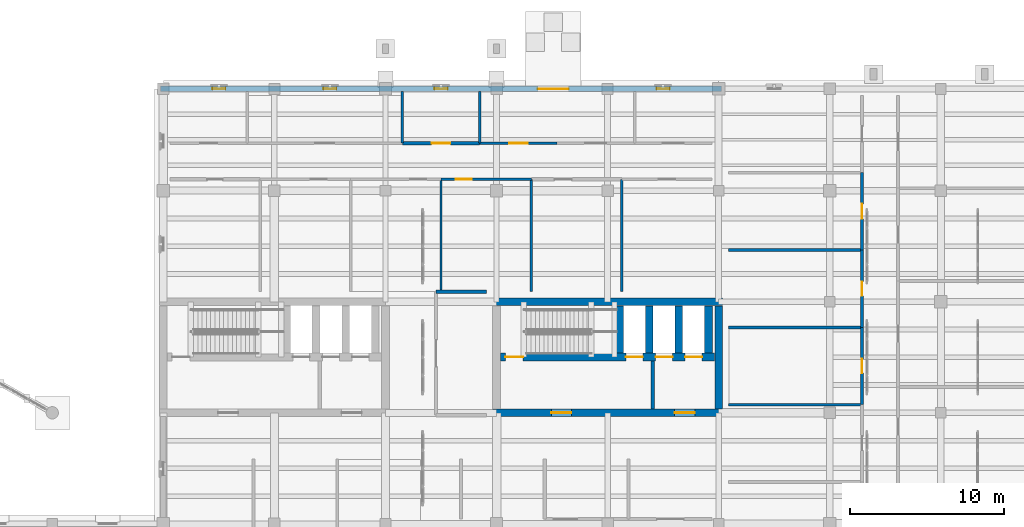
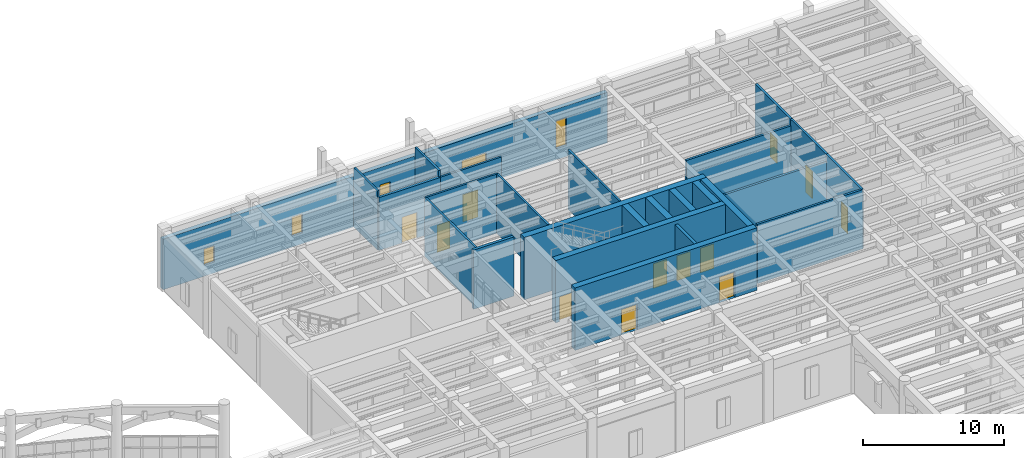
# One storey, part 85 of 100: 25 walls, 13 doors, 4 windows, 17 openings.
"""IFC4 building model written with IfcOpenShell, lengths in metres."""

from ifc_helpers import new_model, si_unit, direction, frame, frame_2d, origin, place, context, subcontext, project, spatial, rectangle, extrude, material, layer, layer_set, type_object, element, fill, save


model = new_model("IFC4")

# Units and contexts
model_context = context("Model", 3, precision=1e-05, world=origin(), true_north=direction((0.0, 1.0)))
body_context = subcontext(model_context, "Body", "Model", "MODEL_VIEW")
ifc_project = project(units=[si_unit("LENGTHUNIT", "METRE"), si_unit("AREAUNIT", "SQUARE_METRE"), si_unit("VOLUMEUNIT", "CUBIC_METRE"), si_unit("PLANEANGLEUNIT", "RADIAN"), si_unit("MASSUNIT", "GRAM", prefix="KILO")], contexts=[model_context])

# Site, building, storey
site_placement = place(None, origin())
site = spatial("IfcSite", under=ifc_project, at=site_placement, CompositionType="ELEMENT")
building_placement = place(site_placement, origin())
building = spatial("IfcBuilding", under=site, at=building_placement, Name="Mithqara Police Headquarters", CompositionType="ELEMENT")
storey_placement = place(building_placement, origin())
storey = spatial("IfcBuildingStorey", under=building, at=storey_placement, Name="L00", CompositionType="ELEMENT", Elevation=0.0)

# Wall
ifc_material_1 = material(Name="Concrete C40/50", Category="concrete")
ifc_layer_1 = layer(ifc_material_1, 0.239990234375, Name="Concrete C40/50")
ifc_layer_set_1 = layer_set([ifc_layer_1], Name="Concrete C40/50")
wall_type_1 = type_object("IfcWallType", Name="CORE LOBBY WALL 240", PredefinedType="SOLIDWALL", material=ifc_layer_set_1)
wall_1_placement = place(storey_placement, frame((140.330078125, 93.25, 0.0), z_axis=(0.0, 0.0, 1.0), x_axis=(0.0, 1.0, 0.0)))
element("IfcWall", 1, at=wall_1_placement, inside=storey, type_object=wall_type_1, Name="Core C2 Command East Firefighting Lobby Separation Wall L00", PredefinedType="SOLIDWALL", context=body_context, shape_type="SweptSolid", body=[
    extrude(rectangle(XDim=3.1201171875, YDim=0.239990234375, at=frame_2d((1.56005859375, 0.0))), origin(), (0.0, 0.0, 1.0), 5.090087890625),
])

# Wall, openings, door, windows
ifc_material_2 = material(Name="Limestone ashlar masonry, 45 MPa", Category="masonry")
ifc_layer_2 = layer(ifc_material_2, 0.360107421875, Name="Limestone ashlar masonry, 45 MPa")
ifc_layer_set_2 = layer_set([ifc_layer_2], Name="Limestone ashlar masonry, 45 MPa")
wall_type_2 = type_object("IfcWallType", Name="EXT WALL LIMESTONE360", PredefinedType="SOLIDWALL", material=ifc_layer_set_2)
wall_2_placement = place(storey_placement, frame((144.780029296875, 114.0, 0.0), z_axis=(0.0, 0.0, 1.0), x_axis=(-1.0, 0.0, 0.0)))
wall_2 = element("IfcWall", 2, at=wall_2_placement, inside=storey, type_object=wall_type_2, Name="L00 Exterior Wall 9.1", PredefinedType="SOLIDWALL", context=body_context, shape_type="SweptSolid", body=[
    extrude(rectangle(XDim=36.360107421875, YDim=0.360107421875, at=frame_2d((18.18017578125, 0.0))), origin(), (0.0, 0.0, 1.0), 4.3701171875),
])
opening_1_placement = place(wall_2_placement, frame((9.907958984375, 0.0, 0.0)))
opening_1 = element("IfcOpeningElement", 3, at=opening_1_placement, cuts=wall_2, Name="Opening ED-02", PredefinedType="OPENING", context=body_context, shape_type="SweptSolid", body=[
    extrude(rectangle(XDim=2.0, YDim=2.60009765625, at=frame_2d((1.0, 1.300048828125))), frame((0.0, 0.18994140625, 0.0), z_axis=(0.0, -1.0, 0.0), x_axis=(1.0, 0.0, 0.0)), (0.0, 0.0, 1.0), 0.380126953125),
])
opening_2_placement = place(wall_2_placement, frame((32.155029296875, 0.0, 0.949951171875)))
opening_2 = element("IfcOpeningElement", 4, at=opening_2_placement, cuts=wall_2, Name="Opening W-01", PredefinedType="OPENING", context=body_context, shape_type="SweptSolid", body=[
    extrude(rectangle(XDim=0.85009765625, YDim=1.39990234375, at=frame_2d((0.425048828125, 0.699951171875))), frame((0.0, 0.18994140625, 0.0), z_axis=(0.0, -1.0, 0.0), x_axis=(1.0, 0.0, 0.0)), (0.0, 0.0, 1.0), 0.380126953125),
])
opening_3_placement = place(wall_2_placement, frame((24.955078125, 0.0, 0.949951171875)))
opening_3 = element("IfcOpeningElement", 5, at=opening_3_placement, cuts=wall_2, Name="Opening W-02", PredefinedType="OPENING", context=body_context, shape_type="SweptSolid", body=[
    extrude(rectangle(XDim=0.85009765625, YDim=1.64990234375, at=frame_2d((0.425048828125, 0.824951171875))), frame((0.0, 0.18994140625, 0.0), z_axis=(0.0, -1.0, 0.0), x_axis=(1.0, 0.0, 0.0)), (0.0, 0.0, 1.0), 0.380126953125),
])
opening_4_placement = place(wall_2_placement, frame((17.7548828125, 0.0, 0.949951171875)))
opening_4 = element("IfcOpeningElement", 6, at=opening_4_placement, cuts=wall_2, Name="Opening W-03", PredefinedType="OPENING", context=body_context, shape_type="SweptSolid", body=[
    extrude(rectangle(XDim=0.85009765625, YDim=1.89990234375, at=frame_2d((0.425048828125, 0.949951171875))), frame((0.0, 0.18994140625, 0.0), z_axis=(0.0, -1.0, 0.0), x_axis=(1.0, 0.0, 0.0)), (0.0, 0.0, 1.0), 0.380126953125),
])
opening_5_placement = place(wall_2_placement, frame((3.35498046875, 0.0, 0.949951171875)))
opening_5 = element("IfcOpeningElement", 7, at=opening_5_placement, cuts=wall_2, Name="Opening W-05", PredefinedType="OPENING", context=body_context, shape_type="SweptSolid", body=[
    extrude(rectangle(XDim=0.85009765625, YDim=2.39990234375, at=frame_2d((0.425048828125, 1.199951171875))), frame((0.0, 0.18994140625, 0.0), z_axis=(0.0, -1.0, 0.0), x_axis=(1.0, 0.0, 0.0)), (0.0, 0.0, 1.0), 0.380126953125),
])
ifc_material_3 = material(Name="Bronze anodised aluminium 6063-T6", Category="aluminium")
door_type_1 = type_object("IfcDoorType", Name="EXT DOOR MAIN 2000X2600", OperationType="DOUBLE_DOOR_SINGLE_SWING", PredefinedType="DOOR", material=ifc_material_3)
door_1_placement = place(opening_1_placement, frame((2.0, 0.0, 0.0), z_axis=(0.0, 0.0, 1.0), x_axis=(-1.0, 0.0, 0.0)))
door_1 = element("IfcDoor", 8, at=door_1_placement, inside=storey, type_object=door_type_1, Name="Ground Floor Final Exit Door 5", OperationType="DOUBLE_DOOR_SINGLE_SWING", OverallHeight=2.60009765625, OverallWidth=2.0, PredefinedType="DOOR", context=body_context, shape_type="SweptSolid", body=[
    extrude(rectangle(XDim=2.0, YDim=2.60009765625, at=frame_2d((1.0, 1.300048828125))), frame((0.0, 0.02490234375, 0.0), z_axis=(0.0, -1.0, 0.0), x_axis=(1.0, 0.0, 0.0)), (0.0, 0.0, 1.0), 0.050048828125),
])
fill(opening_1, door_1)
ifc_material_4 = material(Name="Spectrally selective double low-e glass", Category="glass")
window_type_1 = type_object("IfcWindowType", Name="WINDOW 850X1400", PartitioningType="SINGLE_PANEL", PredefinedType="WINDOW", material=ifc_material_4)
window_1_placement = place(opening_2_placement, origin())
window_1 = element("IfcWindow", 9, at=window_1_placement, inside=storey, type_object=window_type_1, Name="L00 Command Block Screened Window 9.1", OverallHeight=1.39990234375, OverallWidth=0.85009765625, PartitioningType="SINGLE_PANEL", PredefinedType="WINDOW", context=body_context, shape_type="SweptSolid", body=[
    extrude(rectangle(XDim=0.85009765625, YDim=1.39990234375, at=frame_2d((0.425048828125, 0.699951171875))), frame((0.0, 0.030029296875, 0.0), z_axis=(0.0, -1.0, 0.0), x_axis=(1.0, 0.0, 0.0)), (0.0, 0.0, 1.0), 0.06005859375),
])
fill(opening_2, window_1)
window_type_2 = type_object("IfcWindowType", Name="WINDOW 850X1650", PartitioningType="SINGLE_PANEL", PredefinedType="WINDOW", material=ifc_material_4)
window_2_placement = place(opening_3_placement, origin())
window_2 = element("IfcWindow", 10, at=window_2_placement, inside=storey, type_object=window_type_2, Name="L00 Command Block Screened Window 9.2", OverallHeight=1.64990234375, OverallWidth=0.85009765625, PartitioningType="SINGLE_PANEL", PredefinedType="WINDOW", context=body_context, shape_type="SweptSolid", body=[
    extrude(rectangle(XDim=0.85009765625, YDim=1.64990234375, at=frame_2d((0.425048828125, 0.824951171875))), frame((0.0, 0.030029296875, 0.0), z_axis=(0.0, -1.0, 0.0), x_axis=(1.0, 0.0, 0.0)), (0.0, 0.0, 1.0), 0.06005859375),
])
fill(opening_3, window_2)
window_type_3 = type_object("IfcWindowType", Name="WINDOW 850X1900", PartitioningType="SINGLE_PANEL", PredefinedType="WINDOW", material=ifc_material_4)
window_3_placement = place(opening_4_placement, origin())
window_3 = element("IfcWindow", 11, at=window_3_placement, inside=storey, type_object=window_type_3, Name="L00 Command Block Screened Window 9.3", OverallHeight=1.89990234375, OverallWidth=0.85009765625, PartitioningType="SINGLE_PANEL", PredefinedType="WINDOW", context=body_context, shape_type="SweptSolid", body=[
    extrude(rectangle(XDim=0.85009765625, YDim=1.89990234375, at=frame_2d((0.425048828125, 0.949951171875))), frame((0.0, 0.030029296875, 0.0), z_axis=(0.0, -1.0, 0.0), x_axis=(1.0, 0.0, 0.0)), (0.0, 0.0, 1.0), 0.06005859375),
])
fill(opening_4, window_3)
window_type_4 = type_object("IfcWindowType", Name="WINDOW 850X2400", PartitioningType="SINGLE_PANEL", PredefinedType="WINDOW", material=ifc_material_4)
window_4_placement = place(opening_5_placement, origin())
window_4 = element("IfcWindow", 12, at=window_4_placement, inside=storey, type_object=window_type_4, Name="L00 Command Block Screened Window 9.5", OverallHeight=2.39990234375, OverallWidth=0.85009765625, PartitioningType="SINGLE_PANEL", PredefinedType="WINDOW", context=body_context, shape_type="SweptSolid", body=[
    extrude(rectangle(XDim=0.85009765625, YDim=2.39990234375, at=frame_2d((0.425048828125, 1.199951171875))), frame((0.0, 0.030029296875, 0.0), z_axis=(0.0, -1.0, 0.0), x_axis=(1.0, 0.0, 0.0)), (0.0, 0.0, 1.0), 0.06005859375),
])
fill(opening_5, window_4)

# Wall
ifc_material_5 = material(Name="Gypsum acoustic stud partition", Category="gypsum")
ifc_layer_3 = layer(ifc_material_5, 0.159912109375, Name="Gypsum acoustic stud partition")
ifc_layer_set_3 = layer_set([ifc_layer_3], Name="Gypsum acoustic stud partition")
wall_type_3 = type_object("IfcWallType", Name="PART WALL 160", PredefinedType="PARTITIONING", material=ifc_layer_set_3)
wall_3_placement = place(storey_placement, frame((126.60009765625, 100.85009765625, 0.0), z_axis=(0.0, 0.0, 1.0), x_axis=(0.0, 1.0, 0.0)))
element("IfcWall", 13, at=wall_3_placement, inside=storey, type_object=wall_type_3, Name="L00 Room Partition Security Access Badging Office", PredefinedType="PARTITIONING", context=body_context, shape_type="SweptSolid", body=[
    extrude(rectangle(XDim=7.289794921875, YDim=0.159912109375, at=frame_2d((3.64501953125, 0.0))), origin(), (0.0, 0.0, 1.0), 5.1201171875),
])

# Wall, opening, door
wall_4_placement = place(storey_placement, frame((126.60009765625, 108.139892578125, 0.0), z_axis=(0.0, 0.0, 1.0), x_axis=(1.0, 0.0, 0.0)))
wall_4 = element("IfcWall", 14, at=wall_4_placement, inside=storey, type_object=wall_type_3, Name="L00 Corridor Wall Patrol Briefing Room", PredefinedType="PARTITIONING", context=body_context, shape_type="SweptSolid", body=[
    extrude(rectangle(XDim=5.85986328125, YDim=0.159912109375, at=frame_2d((2.929931640625, 0.0))), origin(), (0.0, 0.0, 1.0), 5.1201171875),
])
opening_6_placement = place(wall_4_placement, frame((0.945068359375, 0.0, 0.0)))
opening_6 = element("IfcOpeningElement", 15, at=opening_6_placement, cuts=wall_4, Name="Opening D-09", PredefinedType="OPENING", context=body_context, shape_type="SweptSolid", body=[
    extrude(rectangle(XDim=1.0400390625, YDim=2.35009765625, at=frame_2d((0.52001953125, 1.175048828125))), frame((0.0, 0.08984375, 0.0), z_axis=(0.0, -1.0, 0.0), x_axis=(1.0, 0.0, 0.0)), (0.0, 0.0, 1.0), 0.179931640625),
])
ifc_material_6 = material(Name="Acoustic solid-core timber leaf", Category="wood")
door_type_2 = type_object("IfcDoorType", Name="INT DOOR 1040X2350", OperationType="NOTDEFINED", PredefinedType="DOOR", material=ifc_material_6)
door_2_placement = place(opening_6_placement, frame((1.0400390625, 0.0, 0.0), z_axis=(0.0, 0.0, 1.0), x_axis=(-1.0, 0.0, 0.0)))
door_2 = element("IfcDoor", 16, at=door_2_placement, inside=storey, type_object=door_type_2, Name="Patrol Briefing Room Entry Door", OperationType="SINGLE_SWING_RIGHT", OverallHeight=2.35009765625, OverallWidth=1.0400390625, PredefinedType="DOOR", context=body_context, shape_type="SweptSolid", body=[
    extrude(rectangle(XDim=1.0400390625, YDim=2.35009765625, at=frame_2d((0.52001953125, 1.175048828125))), frame((0.0, 0.02490234375, 0.0), z_axis=(0.0, -1.0, 0.0), x_axis=(1.0, 0.0, 0.0)), (0.0, 0.0, 1.0), 0.050048828125),
])
fill(opening_6, door_2)

# Walls
for number, where, z_axis, x_axis, name in (
    (17, (132.4599609375, 100.85009765625, 0.0), (0.0, 0.0, 1.0), (0.0, 1.0, 0.0), "L00 Room Partition Patrol Briefing Room"),
    (18, (138.320068359375, 100.85009765625, 0.0), (0.0, 0.0, 1.0), (0.0, 1.0, 0.0), "L00 Room Partition Fire Command Room"),
):
    element("IfcWall", number, at=place(storey_placement, frame(where, z_axis=z_axis, x_axis=x_axis)), inside=storey, type_object=wall_type_3, Name=name, PredefinedType="PARTITIONING", context=body_context, shape_type="SweptSolid", body=[
        extrude(rectangle(XDim=7.289794921875, YDim=0.159912109375, at=frame_2d((3.64501953125, 0.0))), origin(), (0.0, 0.0, 1.0), 5.1201171875),
    ])
for number, where, z_axis, x_axis, name in (
    (19, (124.089111328125, 110.47998046875, 0.0), (0.0, 0.0, 1.0), (0.0, 1.0, 0.0), "L00 Room Partition Patrol Briefing Room"),
    (20, (129.111083984375, 110.47998046875, 0.0), (0.0, 0.0, 1.0), (0.0, 1.0, 0.0), "L00 Room Partition Fire Command Room"),
):
    element("IfcWall", number, at=place(storey_placement, frame(where, z_axis=z_axis, x_axis=x_axis)), inside=storey, type_object=wall_type_3, Name=name, PredefinedType="PARTITIONING", context=body_context, shape_type="SweptSolid", body=[
        extrude(rectangle(XDim=3.340087890625, YDim=0.159912109375, at=frame_2d((1.669921875, 0.0))), origin(), (0.0, 0.0, 1.0), 5.1201171875),
    ])

# Wall, opening, door
wall_5_placement = place(storey_placement, frame((129.111083984375, 110.47998046875, 0.0), z_axis=(0.0, 0.0, 1.0), x_axis=(1.0, 0.0, 0.0)))
wall_5 = element("IfcWall", 21, at=wall_5_placement, inside=storey, type_object=wall_type_3, Name="L00 Corridor Wall Station Duty Officer Room", PredefinedType="PARTITIONING", context=body_context, shape_type="SweptSolid", body=[
    extrude(rectangle(XDim=5.02294921875, YDim=0.159912109375, at=frame_2d((2.511474609375, 0.0))), origin(), (0.0, 0.0, 1.0), 4.570068359375),
])
opening_7_placement = place(wall_5_placement, frame((1.901611328125, 0.0, 0.0)))
opening_7 = element("IfcOpeningElement", 22, at=opening_7_placement, cuts=wall_5, Name="Opening D-15", PredefinedType="OPENING", context=body_context, shape_type="SweptSolid", body=[
    extrude(rectangle(XDim=1.219970703125, YDim=2.35009765625, at=frame_2d((0.60986328125, 1.175048828125))), frame((0.0, 0.08984375, 0.0), z_axis=(0.0, -1.0, 0.0), x_axis=(1.0, 0.0, 0.0)), (0.0, 0.0, 1.0), 0.179931640625),
])
door_type_3 = type_object("IfcDoorType", Name="INT DOOR 1220X2350", OperationType="NOTDEFINED", PredefinedType="DOOR", material=ifc_material_6)
door_3_placement = place(opening_7_placement, origin())
door_3 = element("IfcDoor", 23, at=door_3_placement, inside=storey, type_object=door_type_3, Name="Station Duty Officer Room Entry Door", OperationType="SINGLE_SWING_RIGHT", OverallHeight=2.35009765625, OverallWidth=1.219970703125, PredefinedType="DOOR", context=body_context, shape_type="SweptSolid", body=[
    extrude(rectangle(XDim=1.219970703125, YDim=2.35009765625, at=frame_2d((0.60986328125, 1.175048828125))), frame((0.0, 0.02490234375, 0.0), z_axis=(0.0, -1.0, 0.0), x_axis=(1.0, 0.0, 0.0)), (0.0, 0.0, 1.0), 0.050048828125),
])
fill(opening_7, door_3)

# Wall
ifc_layer_4 = layer(ifc_material_1, 0.179931640625, Name="Concrete C40/50")
ifc_layer_set_4 = layer_set([ifc_layer_4], Name="Concrete C40/50")
wall_type_4 = type_object("IfcWallType", Name="PART WALL 180", PredefinedType="PARTITIONING", material=ifc_layer_set_4)
wall_6_placement = place(storey_placement, frame((145.25, 93.527099609375, 0.0), z_axis=(0.0, 0.0, 1.0), x_axis=(1.0, 0.0, 0.0)))
element("IfcWall", 24, at=wall_6_placement, inside=storey, type_object=wall_type_4, Name="L00 Room Partition Incident Triage Desk", PredefinedType="PARTITIONING", context=body_context, shape_type="SweptSolid", body=[
    extrude(rectangle(XDim=8.64501953125, YDim=0.179931640625, at=frame_2d((4.322509765625, 0.0))), origin(), (0.0, 0.0, 1.0), 5.1201171875),
])

# Wall, opening, door
wall_7_placement = place(storey_placement, frame((153.89501953125, 93.527099609375, 0.0), z_axis=(0.0, 0.0, 1.0), x_axis=(0.0, 1.0, 0.0)))
wall_7 = element("IfcWall", 25, at=wall_7_placement, inside=storey, type_object=wall_type_4, Name="L00 Corridor Wall Male Staff WC", PredefinedType="PARTITIONING", context=body_context, shape_type="SweptSolid", body=[
    extrude(rectangle(XDim=5.012939453125, YDim=0.179931640625, at=frame_2d((2.50634765625, 0.0))), origin(), (0.0, 0.0, 1.0), 5.1201171875),
])
opening_8_placement = place(wall_7_placement, frame((2.04638671875, 0.0, 0.0)))
opening_8 = element("IfcOpeningElement", 26, at=opening_8_placement, cuts=wall_7, Name="Opening D-02", PredefinedType="OPENING", context=body_context, shape_type="SweptSolid", body=[
    extrude(rectangle(XDim=0.919921875, YDim=2.219970703125, at=frame_2d((0.4599609375, 1.10986328125))), frame((0.0, 0.10009765625, 0.0), z_axis=(0.0, -1.0, 0.0), x_axis=(1.0, 0.0, 0.0)), (0.0, 0.0, 1.0), 0.199951171875),
])
door_type_4 = type_object("IfcDoorType", Name="INT DOOR 920X2220", OperationType="NOTDEFINED", PredefinedType="DOOR", material=ifc_material_6)
door_4_placement = place(opening_8_placement, frame((0.919921875, 0.0, 0.0), z_axis=(0.0, 0.0, 1.0), x_axis=(-1.0, 0.0, 0.0)))
door_4 = element("IfcDoor", 27, at=door_4_placement, inside=storey, type_object=door_type_4, Name="Male Staff WC Entry Door", OperationType="SINGLE_SWING_LEFT", OverallHeight=2.219970703125, OverallWidth=0.919921875, PredefinedType="DOOR", context=body_context, shape_type="SweptSolid", body=[
    extrude(rectangle(XDim=0.919921875, YDim=2.219970703125, at=frame_2d((0.4599609375, 1.10986328125))), frame((0.0, 0.02490234375, 0.0), z_axis=(0.0, -1.0, 0.0), x_axis=(1.0, 0.0, 0.0)), (0.0, 0.0, 1.0), 0.050048828125),
])
fill(opening_8, door_4)

# Wall
wall_8_placement = place(storey_placement, frame((145.25, 98.5400390625, 0.0), z_axis=(0.0, 0.0, 1.0), x_axis=(1.0, 0.0, 0.0)))
element("IfcWall", 28, at=wall_8_placement, inside=storey, type_object=wall_type_4, Name="L00 Room Partition Male Staff WC", PredefinedType="PARTITIONING", context=body_context, shape_type="SweptSolid", body=[
    extrude(rectangle(XDim=8.64501953125, YDim=0.179931640625, at=frame_2d((4.322509765625, 0.0))), origin(), (0.0, 0.0, 1.0), 4.570068359375),
])

# Wall, opening, door
wall_9_placement = place(storey_placement, frame((153.89501953125, 98.5400390625, 0.0), z_axis=(0.0, 0.0, 1.0), x_axis=(0.0, 1.0, 0.0)))
wall_9 = element("IfcWall", 29, at=wall_9_placement, inside=storey, type_object=wall_type_4, Name="L00 Corridor Wall Female Staff WC", PredefinedType="PARTITIONING", context=body_context, shape_type="SweptSolid", body=[
    extrude(rectangle(XDim=5.012939453125, YDim=0.179931640625, at=frame_2d((2.50634765625, 0.0))), origin(), (0.0, 0.0, 1.0), 5.1201171875),
])
opening_9_placement = place(wall_9_placement, frame((2.04638671875, 0.0, 0.0)))
opening_9 = element("IfcOpeningElement", 30, at=opening_9_placement, cuts=wall_9, Name="Opening D-03", PredefinedType="OPENING", context=body_context, shape_type="SweptSolid", body=[
    extrude(rectangle(XDim=0.919921875, YDim=2.35009765625, at=frame_2d((0.4599609375, 1.175048828125))), frame((0.0, 0.10009765625, 0.0), z_axis=(0.0, -1.0, 0.0), x_axis=(1.0, 0.0, 0.0)), (0.0, 0.0, 1.0), 0.199951171875),
])
door_type_5 = type_object("IfcDoorType", Name="INT DOOR 920X2350", OperationType="NOTDEFINED", PredefinedType="DOOR", material=ifc_material_6)
door_5_placement = place(opening_9_placement, frame((0.919921875, 0.0, 0.0), z_axis=(0.0, 0.0, 1.0), x_axis=(-1.0, 0.0, 0.0)))
door_5 = element("IfcDoor", 31, at=door_5_placement, inside=storey, type_object=door_type_5, Name="Female Staff WC Entry Door", OperationType="SINGLE_SWING_RIGHT", OverallHeight=2.35009765625, OverallWidth=0.919921875, PredefinedType="DOOR", context=body_context, shape_type="SweptSolid", body=[
    extrude(rectangle(XDim=0.919921875, YDim=2.35009765625, at=frame_2d((0.4599609375, 1.175048828125))), frame((0.0, 0.02490234375, 0.0), z_axis=(0.0, -1.0, 0.0), x_axis=(1.0, 0.0, 0.0)), (0.0, 0.0, 1.0), 0.050048828125),
])
fill(opening_9, door_5)

# Wall
wall_10_placement = place(storey_placement, frame((145.25, 103.552978515625, 0.0), z_axis=(0.0, 0.0, 1.0), x_axis=(1.0, 0.0, 0.0)))
element("IfcWall", 32, at=wall_10_placement, inside=storey, type_object=wall_type_4, Name="L00 Room Partition Female Staff WC", PredefinedType="PARTITIONING", context=body_context, shape_type="SweptSolid", body=[
    extrude(rectangle(XDim=8.64501953125, YDim=0.179931640625, at=frame_2d((4.322509765625, 0.0))), origin(), (0.0, 0.0, 1.0), 4.570068359375),
])

# Wall, opening, door
wall_11_placement = place(storey_placement, frame((153.89501953125, 103.552978515625, 0.0), z_axis=(0.0, 0.0, 1.0), x_axis=(0.0, 1.0, 0.0)))
wall_11 = element("IfcWall", 33, at=wall_11_placement, inside=storey, type_object=wall_type_4, Name="L00 Corridor Wall Accessible WC", PredefinedType="PARTITIONING", context=body_context, shape_type="SweptSolid", body=[
    extrude(rectangle(XDim=5.013916015625, YDim=0.179931640625, at=frame_2d((2.5068359375, 0.0))), origin(), (0.0, 0.0, 1.0), 5.1201171875),
])
opening_10_placement = place(wall_11_placement, frame((2.01708984375, 0.0, 0.0)))
opening_10 = element("IfcOpeningElement", 34, at=opening_10_placement, cuts=wall_11, Name="Opening D-04", PredefinedType="OPENING", context=body_context, shape_type="SweptSolid", body=[
    extrude(rectangle(XDim=0.97998046875, YDim=2.10009765625, at=frame_2d((0.489990234375, 1.050048828125))), frame((0.0, 0.10009765625, 0.0), z_axis=(0.0, -1.0, 0.0), x_axis=(1.0, 0.0, 0.0)), (0.0, 0.0, 1.0), 0.199951171875),
])
door_type_6 = type_object("IfcDoorType", Name="INT DOOR 980X2100", OperationType="NOTDEFINED", PredefinedType="DOOR", material=ifc_material_6)
door_6_placement = place(opening_10_placement, frame((0.97998046875, 0.0, 0.0), z_axis=(0.0, 0.0, 1.0), x_axis=(-1.0, 0.0, 0.0)))
door_6 = element("IfcDoor", 35, at=door_6_placement, inside=storey, type_object=door_type_6, Name="Accessible WC Entry Door", OperationType="SINGLE_SWING_LEFT", OverallHeight=2.10009765625, OverallWidth=0.97998046875, PredefinedType="DOOR", context=body_context, shape_type="SweptSolid", body=[
    extrude(rectangle(XDim=0.97998046875, YDim=2.10009765625, at=frame_2d((0.489990234375, 1.050048828125))), frame((0.0, 0.02490234375, 0.0), z_axis=(0.0, -1.0, 0.0), x_axis=(1.0, 0.0, 0.0)), (0.0, 0.0, 1.0), 0.050048828125),
])
fill(opening_10, door_6)

ifc_layer_5 = layer(ifc_material_1, 0.2099609375, Name="Concrete C40/50")
ifc_layer_set_5 = layer_set([ifc_layer_5], Name="Concrete C40/50")
wall_type_5 = type_object("IfcWallType", Name="PART WALL 210", PredefinedType="PARTITIONING", material=ifc_layer_set_5)
wall_12_placement = place(storey_placement, frame((124.089111328125, 110.47998046875, 0.0), z_axis=(0.0, 0.0, 1.0), x_axis=(1.0, 0.0, 0.0)))
wall_12 = element("IfcWall", 36, at=wall_12_placement, inside=storey, type_object=wall_type_5, Name="L00 Corridor Wall Fire Command Room", PredefinedType="PARTITIONING", context=body_context, shape_type="SweptSolid", body=[
    extrude(rectangle(XDim=5.02197265625, YDim=0.2099609375, at=frame_2d((2.510986328125, 0.0))), origin(), (0.0, 0.0, 1.0), 4.570068359375),
])
opening_11_placement = place(wall_12_placement, frame((1.90087890625, 0.0, 0.0)))
opening_11 = element("IfcOpeningElement", 37, at=opening_11_placement, cuts=wall_12, Name="Opening D-14", PredefinedType="OPENING", context=body_context, shape_type="SweptSolid", body=[
    extrude(rectangle(XDim=1.219970703125, YDim=2.219970703125, at=frame_2d((0.60986328125, 1.10986328125))), frame((0.0, 0.114990234375, 0.0), z_axis=(0.0, -1.0, 0.0), x_axis=(1.0, 0.0, 0.0)), (0.0, 0.0, 1.0), 0.22998046875),
])
door_type_7 = type_object("IfcDoorType", Name="INT DOOR 1220X2220", OperationType="NOTDEFINED", PredefinedType="DOOR", material=ifc_material_6)
door_7_placement = place(opening_11_placement, origin())
door_7 = element("IfcDoor", 38, at=door_7_placement, inside=storey, type_object=door_type_7, Name="Fire Command Room Entry Door", OperationType="SINGLE_SWING_LEFT", OverallHeight=2.219970703125, OverallWidth=1.219970703125, PredefinedType="DOOR", context=body_context, shape_type="SweptSolid", body=[
    extrude(rectangle(XDim=1.219970703125, YDim=2.219970703125, at=frame_2d((0.60986328125, 1.10986328125))), frame((0.0, 0.02490234375, 0.0), z_axis=(0.0, -1.0, 0.0), x_axis=(1.0, 0.0, 0.0)), (0.0, 0.0, 1.0), 0.050048828125),
])
fill(opening_11, door_7)

# Walls
ifc_layer_6 = layer(ifc_material_1, 0.22998046875, Name="Concrete C40/50")
ifc_layer_set_6 = layer_set([ifc_layer_6], Name="Concrete C40/50")
wall_type_6 = type_object("IfcWallType", Name="PART WALL 230", PredefinedType="PARTITIONING", material=ifc_layer_set_6)
wall_13_placement = place(storey_placement, frame((126.27001953125, 100.85009765625, 0.0), z_axis=(0.0, 0.0, 1.0), x_axis=(1.0, 0.0, 0.0)))
element("IfcWall", 39, at=wall_13_placement, inside=storey, type_object=wall_type_6, Name="L00 Partition End Closure E1", PredefinedType="PARTITIONING", context=body_context, shape_type="SweptSolid", body=[
    extrude(rectangle(XDim=3.280029296875, YDim=0.22998046875, at=frame_2d((1.64013671875, 0.0))), origin(), (0.0, 0.0, 1.0), 5.1201171875),
])
ifc_material_7 = material(Name="Concrete C50/60", Category="concrete")
ifc_layer_7 = layer(ifc_material_7, 0.5, Name="Concrete C50/60")
ifc_layer_set_7 = layer_set([ifc_layer_7], Name="Concrete C50/60")
wall_type_7 = type_object("IfcWallType", Name="SHEAR WALL 500", PredefinedType="SHEAR", material=ifc_layer_set_7)
wall_14_placement = place(storey_placement, frame((129.949951171875, 100.199951171875, 0.0), z_axis=(0.0, 0.0, 1.0), x_axis=(1.0, 0.0, 0.0)))
element("IfcWall", 40, at=wall_14_placement, inside=storey, type_object=wall_type_7, Name="Core C2 Command East Shear Wall N", PredefinedType="SHEAR", context=body_context, shape_type="SweptSolid", body=[
    extrude(rectangle(XDim=14.900146484375, YDim=0.5, at=frame_2d((7.4501953125, 0.0))), origin(), (0.0, 0.0, 1.0), 5.39990234375),
])

# Wall, openings, doors
wall_15_placement = place(storey_placement, frame((129.949951171875, 93.0, 0.0), z_axis=(0.0, 0.0, 1.0), x_axis=(1.0, 0.0, 0.0)))
wall_15 = element("IfcWall", 41, at=wall_15_placement, inside=storey, type_object=wall_type_7, Name="Core C2 Command East Shear Wall S", PredefinedType="SHEAR", context=body_context, shape_type="SweptSolid", body=[
    extrude(rectangle(XDim=14.900146484375, YDim=0.5, at=frame_2d((7.4501953125, 0.0))), origin(), (0.0, 0.0, 1.0), 5.39990234375),
])
opening_12_placement = place(wall_15_placement, frame((3.800048828125, 0.0, 0.0)))
opening_12 = element("IfcOpeningElement", 42, at=opening_12_placement, cuts=wall_15, Name="Opening FD-02", PredefinedType="OPENING", context=body_context, shape_type="SweptSolid", body=[
    extrude(rectangle(XDim=1.300048828125, YDim=2.199951171875, at=frame_2d((0.64990234375, 1.10009765625))), frame((0.0, 0.260009765625, 0.0), z_axis=(0.0, -1.0, 0.0), x_axis=(1.0, 0.0, 0.0)), (0.0, 0.0, 1.0), 0.52001953125),
])
opening_13_placement = place(wall_15_placement, frame((11.800048828125, 0.0, 0.0)))
opening_13 = element("IfcOpeningElement", 43, at=opening_13_placement, cuts=wall_15, Name="Opening FD-02", PredefinedType="OPENING", context=body_context, shape_type="SweptSolid", body=[
    extrude(rectangle(XDim=1.300048828125, YDim=2.199951171875, at=frame_2d((0.64990234375, 1.10009765625))), frame((0.0, 0.260009765625, 0.0), z_axis=(0.0, -1.0, 0.0), x_axis=(1.0, 0.0, 0.0)), (0.0, 0.0, 1.0), 0.52001953125),
])
ifc_material_8 = material(Name="Steel S355JR", Category="steel")
door_type_8 = type_object("IfcDoorType", Name="CORE DOOR LOBBY 1300X2200", OperationType="NOTDEFINED", PredefinedType="DOOR", material=ifc_material_8)
door_8_placement = place(opening_12_placement, frame((1.300048828125, 0.0, 0.0), z_axis=(0.0, 0.0, 1.0), x_axis=(-1.0, 0.0, 0.0)))
door_8 = element("IfcDoor", 44, at=door_8_placement, inside=storey, type_object=door_type_8, Name="Core C2 Command East FF Lobby Fire Door L00", OperationType="SINGLE_SWING_LEFT", OverallHeight=2.199951171875, OverallWidth=1.300048828125, PredefinedType="DOOR", context=body_context, shape_type="SweptSolid", body=[
    extrude(rectangle(XDim=1.300048828125, YDim=2.199951171875, at=frame_2d((0.64990234375, 1.10009765625))), frame((0.0, 0.02490234375, 0.0), z_axis=(0.0, -1.0, 0.0), x_axis=(1.0, 0.0, 0.0)), (0.0, 0.0, 1.0), 0.050048828125),
])
fill(opening_12, door_8)
door_9_placement = place(opening_13_placement, frame((1.300048828125, 0.0, 0.0), z_axis=(0.0, 0.0, 1.0), x_axis=(-1.0, 0.0, 0.0)))
door_9 = element("IfcDoor", 45, at=door_9_placement, inside=storey, type_object=door_type_8, Name="Core C2 Command East PA Lobby Fire Door L00", OperationType="SINGLE_SWING_RIGHT", OverallHeight=2.199951171875, OverallWidth=1.300048828125, PredefinedType="DOOR", context=body_context, shape_type="SweptSolid", body=[
    extrude(rectangle(XDim=1.300048828125, YDim=2.199951171875, at=frame_2d((0.64990234375, 1.10009765625))), frame((0.0, 0.02490234375, 0.0), z_axis=(0.0, -1.0, 0.0), x_axis=(1.0, 0.0, 0.0)), (0.0, 0.0, 1.0), 0.050048828125),
])
fill(opening_13, door_9)

# Wall
wall_16_placement = place(storey_placement, frame((144.60009765625, 93.260009765625, 0.0), z_axis=(0.0, 0.0, 1.0), x_axis=(0.0, 1.0, 0.0)))
element("IfcWall", 46, at=wall_16_placement, inside=storey, type_object=wall_type_7, Name="Core C2 Command East Shear Wall E", PredefinedType="SHEAR", context=body_context, shape_type="SweptSolid", body=[
    extrude(rectangle(XDim=6.679931640625, YDim=0.5, at=frame_2d((3.33984375, 0.0))), origin(), (0.0, 0.0, 1.0), 5.39990234375),
])

# Wall, openings, doors
wall_17_placement = place(storey_placement, frame((130.4599609375, 96.6201171875, 0.0), z_axis=(0.0, 0.0, 1.0), x_axis=(1.0, 0.0, 0.0)))
wall_17 = element("IfcWall", 47, at=wall_17_placement, inside=storey, type_object=wall_type_7, Name="Core C2 Command East Shear Wall M", PredefinedType="SHEAR", context=body_context, shape_type="SweptSolid", body=[
    extrude(rectangle(XDim=13.880126953125, YDim=0.5, at=frame_2d((6.93994140625, 0.0))), origin(), (0.0, 0.0, 1.0), 5.39990234375),
])
opening_14_placement = place(wall_17_placement, frame((8.1298828125, 0.0, 0.0)))
opening_14 = element("IfcOpeningElement", 48, at=opening_14_placement, cuts=wall_17, Name="Opening LD-01", PredefinedType="OPENING", context=body_context, shape_type="SweptSolid", body=[
    extrude(rectangle(XDim=1.10009765625, YDim=2.14990234375, at=frame_2d((0.550048828125, 1.074951171875))), frame((0.0, 0.260009765625, 0.0), z_axis=(0.0, -1.0, 0.0), x_axis=(1.0, 0.0, 0.0)), (0.0, 0.0, 1.0), 0.52001953125),
])
opening_15_placement = place(wall_17_placement, frame((10.050048828125, 0.0, 0.0)))
opening_15 = element("IfcOpeningElement", 49, at=opening_15_placement, cuts=wall_17, Name="Opening LD-01", PredefinedType="OPENING", context=body_context, shape_type="SweptSolid", body=[
    extrude(rectangle(XDim=1.10009765625, YDim=2.14990234375, at=frame_2d((0.550048828125, 1.074951171875))), frame((0.0, 0.260009765625, 0.0), z_axis=(0.0, -1.0, 0.0), x_axis=(1.0, 0.0, 0.0)), (0.0, 0.0, 1.0), 0.52001953125),
])
opening_16_placement = place(wall_17_placement, frame((11.969970703125, 0.0, 0.0)))
opening_16 = element("IfcOpeningElement", 50, at=opening_16_placement, cuts=wall_17, Name="Opening LD-01", PredefinedType="OPENING", context=body_context, shape_type="SweptSolid", body=[
    extrude(rectangle(XDim=1.10009765625, YDim=2.14990234375, at=frame_2d((0.550048828125, 1.074951171875))), frame((0.0, 0.260009765625, 0.0), z_axis=(0.0, -1.0, 0.0), x_axis=(1.0, 0.0, 0.0)), (0.0, 0.0, 1.0), 0.52001953125),
])
opening_17_placement = place(wall_17_placement, frame((0.31494140625, 0.0, 0.0)))
opening_17 = element("IfcOpeningElement", 51, at=opening_17_placement, cuts=wall_17, Name="Opening FD-01", PredefinedType="OPENING", context=body_context, shape_type="SweptSolid", body=[
    extrude(rectangle(XDim=1.14990234375, YDim=2.14990234375, at=frame_2d((0.574951171875, 1.074951171875))), frame((0.0, 0.260009765625, 0.0), z_axis=(0.0, -1.0, 0.0), x_axis=(1.0, 0.0, 0.0)), (0.0, 0.0, 1.0), 0.52001953125),
])
door_type_9 = type_object("IfcDoorType", Name="CORE DOOR STAIR 1150X2150", OperationType="NOTDEFINED", PredefinedType="DOOR", material=ifc_material_8)
door_10_placement = place(opening_17_placement, origin())
door_10 = element("IfcDoor", 52, at=door_10_placement, inside=storey, type_object=door_type_9, Name="Stair ST-02 Fire Door L00", OperationType="SINGLE_SWING_RIGHT", OverallHeight=2.14990234375, OverallWidth=1.14990234375, PredefinedType="DOOR", context=body_context, shape_type="SweptSolid", body=[
    extrude(rectangle(XDim=1.14990234375, YDim=2.14990234375, at=frame_2d((0.574951171875, 1.074951171875))), frame((0.0, 0.02490234375, 0.0), z_axis=(0.0, -1.0, 0.0), x_axis=(1.0, 0.0, 0.0)), (0.0, 0.0, 1.0), 0.050048828125),
])
fill(opening_17, door_10)
door_type_10 = type_object("IfcDoorType", Name="LIFT DOOR 1100X2150", OperationType="DOUBLE_DOOR_SLIDING", PredefinedType="DOOR", material=ifc_material_8)
door_11_placement = place(opening_14_placement, frame((1.10009765625, 0.0, 0.0), z_axis=(0.0, 0.0, 1.0), x_axis=(-1.0, 0.0, 0.0)))
door_11 = element("IfcDoor", 53, at=door_11_placement, inside=storey, type_object=door_type_10, Name="Lift Landing Door FL-02-L00", OperationType="DOUBLE_DOOR_SLIDING", OverallHeight=2.14990234375, OverallWidth=1.10009765625, PredefinedType="DOOR", context=body_context, shape_type="SweptSolid", body=[
    extrude(rectangle(XDim=1.10009765625, YDim=2.14990234375, at=frame_2d((0.550048828125, 1.074951171875))), frame((0.0, 0.02490234375, 0.0), z_axis=(0.0, -1.0, 0.0), x_axis=(1.0, 0.0, 0.0)), (0.0, 0.0, 1.0), 0.050048828125),
])
fill(opening_14, door_11)
door_12_placement = place(opening_15_placement, frame((1.10009765625, 0.0, 0.0), z_axis=(0.0, 0.0, 1.0), x_axis=(-1.0, 0.0, 0.0)))
door_12 = element("IfcDoor", 54, at=door_12_placement, inside=storey, type_object=door_type_10, Name="Lift Landing Door LP-03-L00", OperationType="DOUBLE_DOOR_SLIDING", OverallHeight=2.14990234375, OverallWidth=1.10009765625, PredefinedType="DOOR", context=body_context, shape_type="SweptSolid", body=[
    extrude(rectangle(XDim=1.10009765625, YDim=2.14990234375, at=frame_2d((0.550048828125, 1.074951171875))), frame((0.0, 0.02490234375, 0.0), z_axis=(0.0, -1.0, 0.0), x_axis=(1.0, 0.0, 0.0)), (0.0, 0.0, 1.0), 0.050048828125),
])
fill(opening_15, door_12)
door_13_placement = place(opening_16_placement, frame((1.10009765625, 0.0, 0.0), z_axis=(0.0, 0.0, 1.0), x_axis=(-1.0, 0.0, 0.0)))
door_13 = element("IfcDoor", 55, at=door_13_placement, inside=storey, type_object=door_type_10, Name="Lift Landing Door LP-04-L00", OperationType="DOUBLE_DOOR_SLIDING", OverallHeight=2.14990234375, OverallWidth=1.10009765625, PredefinedType="DOOR", context=body_context, shape_type="SweptSolid", body=[
    extrude(rectangle(XDim=1.10009765625, YDim=2.14990234375, at=frame_2d((0.550048828125, 1.074951171875))), frame((0.0, 0.02490234375, 0.0), z_axis=(0.0, -1.0, 0.0), x_axis=(1.0, 0.0, 0.0)), (0.0, 0.0, 1.0), 0.050048828125),
])
fill(opening_16, door_13)

# Walls
for number, where, z_axis, x_axis, name in (
    (56, (138.179931640625, 96.8798828125, 0.0), (0.0, 0.0, 1.0), (0.0, 1.0, 0.0), "Core C2 Command East Shear Wall X"),
    (57, (140.10009765625, 96.8798828125, 0.0), (0.0, 0.0, 1.0), (0.0, 1.0, 0.0), "Core C2 Command East Shear Wall L1"),
    (58, (142.02001953125, 96.8798828125, 0.0), (0.0, 0.0, 1.0), (0.0, 1.0, 0.0), "Core C2 Command East Shear Wall L2"),
    (59, (143.93994140625, 96.8798828125, 0.0), (0.0, 0.0, 1.0), (0.0, 1.0, 0.0), "Core C2 Command East Shear Wall L3"),
):
    element("IfcWall", number, at=place(storey_placement, frame(where, z_axis=z_axis, x_axis=x_axis)), inside=storey, type_object=wall_type_7, Name=name, PredefinedType="SHEAR", context=body_context, shape_type="SweptSolid", body=[
        extrude(rectangle(XDim=3.06005859375, YDim=0.5, at=frame_2d((1.530029296875, 0.0))), origin(), (0.0, 0.0, 1.0), 5.39990234375),
    ])

save(model, "model.ifc")
